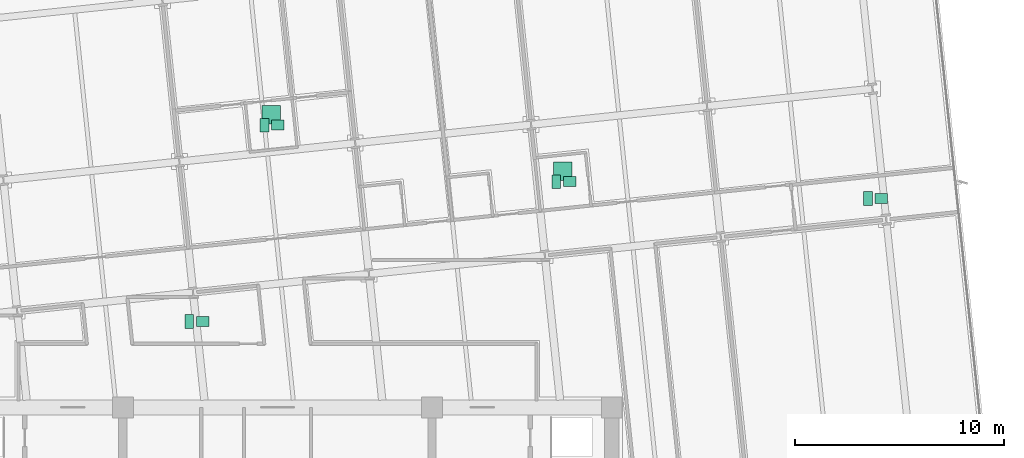
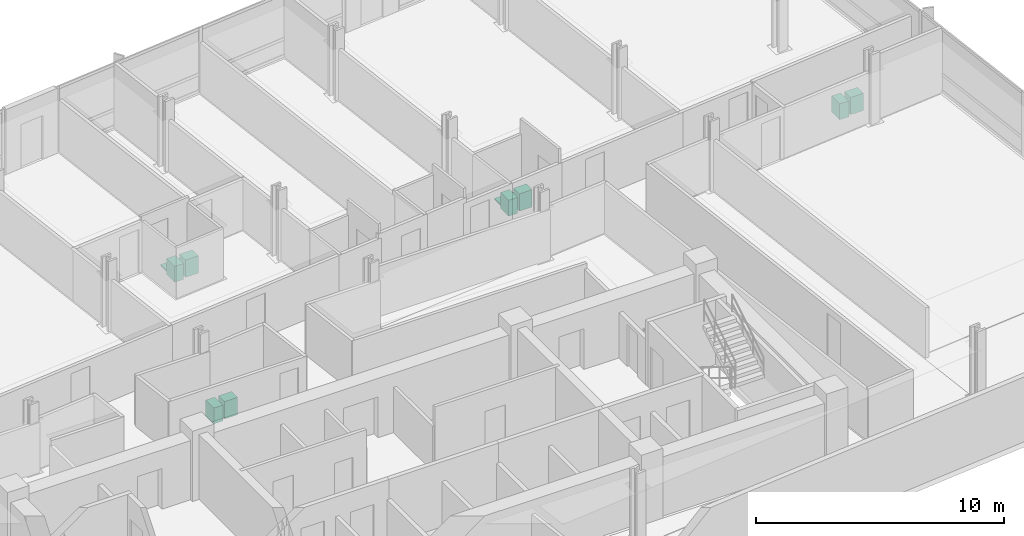
# One storey, part 17 of 17: 10 sanitary terminals.
"""IFC4 building model written with IfcOpenShell, lengths in metres."""

from ifc_helpers import new_model, si_unit, direction, frame, origin, origin_2d, place, context, subcontext, project, spatial, rectangle, extrude, material, type_object, element, save


model = new_model("IFC4")

# Units and contexts
model_context = context("Model", 3, precision=1e-05, world=origin(), true_north=direction((0.0, 1.0)))
body_context = subcontext(model_context, "Body", "Model", "MODEL_VIEW")
ifc_project = project(units=[si_unit("LENGTHUNIT", "METRE"), si_unit("AREAUNIT", "SQUARE_METRE"), si_unit("VOLUMEUNIT", "CUBIC_METRE"), si_unit("PLANEANGLEUNIT", "RADIAN"), si_unit("MASSUNIT", "GRAM", prefix="KILO")], contexts=[model_context])

# Site, building, storey
site_placement = place(None, origin())
site = spatial("IfcSite", under=ifc_project, at=site_placement, CompositionType="ELEMENT")
building_placement = place(site_placement, origin())
building = spatial("IfcBuilding", under=site, at=building_placement, Name="Solmavex Isthmus Hotel", CompositionType="ELEMENT")
storey_placement = place(building_placement, frame((0.0, 0.0, 90.449951171875)))
storey = spatial("IfcBuildingStorey", under=building, at=storey_placement, Name="L24", CompositionType="ELEMENT", Elevation=90.449951171875)

# Sanitary terminals
ifc_material = material(Name="Vitreous china ceramic", Category="ceramic")
sanitary_terminal_type_1 = type_object("IfcSanitaryTerminalType", Name="SAN-BASIN", PredefinedType="WASHHANDBASIN", material=ifc_material)
for number, where, z_axis, x_axis, name in (
    (1, (0.022216796875, 11.011474609375, 0.0), (0.0, 0.0, 1.0), (1.0, 0.0, 0.0), "Vanity Washbasin L24-113"),
    (2, (13.98046875, 8.3076171875, 0.0), (0.0, 0.0, 1.0), (1.0, 0.0, 0.0), "Vanity Washbasin L24-114"),
    (3, (-3.58349609375, 1.6162109375, 0.0), (0.0, 0.0, 1.0), (1.0, 0.0, 0.0), "Vanity Washbasin L24-115"),
    (4, (28.9111328125, 7.50390625, 0.0), (0.0, 0.0, 1.0), (1.0, 0.0, 0.0), "Vanity Washbasin L24-116"),
):
    element("IfcSanitaryTerminal", number, at=place(storey_placement, frame(where, z_axis=z_axis, x_axis=x_axis)), inside=storey, type_object=sanitary_terminal_type_1, Name=name, PredefinedType="WASHHANDBASIN", context=body_context, shape_type="SweptSolid", body=[
        extrude(rectangle(XDim=0.60009765625, YDim=0.47998046875, at=origin_2d()), origin(), (0.0, 0.0, 1.0), 0.85009765625),
    ])
sanitary_terminal_type_2 = type_object("IfcSanitaryTerminalType", Name="SAN-SHOWER", PredefinedType="SHOWER", material=ifc_material)
for number, where, z_axis, x_axis, name in (
    (5, (-0.297607421875, 11.511474609375, 0.0), (0.0, 0.0, 1.0), (1.0, 0.0, 0.0), "Walk-In Shower L24-113"),
    (6, (13.660400390625, 8.8076171875, 0.0), (0.0, 0.0, 1.0), (1.0, 0.0, 0.0), "Walk-In Shower L24-114"),
):
    element("IfcSanitaryTerminal", number, at=place(storey_placement, frame(where, z_axis=z_axis, x_axis=x_axis)), inside=storey, type_object=sanitary_terminal_type_2, Name=name, PredefinedType="SHOWER", context=body_context, shape_type="SweptSolid", body=[
        extrude(rectangle(XDim=0.89990234375, YDim=0.89990234375, at=origin_2d()), origin(), (0.0, 0.0, 1.0), 0.080078125),
    ])
sanitary_terminal_type_3 = type_object("IfcSanitaryTerminalType", Name="SAN-WC-SUITE", PredefinedType="TOILETPAN", material=ifc_material)
for number, where, z_axis, x_axis, name in (
    (7, (-0.61767578125, 11.011474609375, 0.0), (0.0, 0.0, 1.0), (1.0, 0.0, 0.0), "Water Closet L24-113"),
    (8, (13.34033203125, 8.3076171875, 0.0), (0.0, 0.0, 1.0), (1.0, 0.0, 0.0), "Water Closet L24-114"),
    (9, (-4.223388671875, 1.6162109375, 0.0), (0.0, 0.0, 1.0), (1.0, 0.0, 0.0), "Water Closet L24-115"),
    (10, (28.271240234375, 7.50390625, 0.0), (0.0, 0.0, 1.0), (1.0, 0.0, 0.0), "Water Closet L24-116"),
):
    element("IfcSanitaryTerminal", number, at=place(storey_placement, frame(where, z_axis=z_axis, x_axis=x_axis)), inside=storey, type_object=sanitary_terminal_type_3, Name=name, PredefinedType="TOILETPAN", context=body_context, shape_type="SweptSolid", body=[
        extrude(rectangle(XDim=0.419921875, YDim=0.64990234375, at=origin_2d()), origin(), (0.0, 0.0, 1.0), 0.780029296875),
    ])

save(model, "model.ifc")
